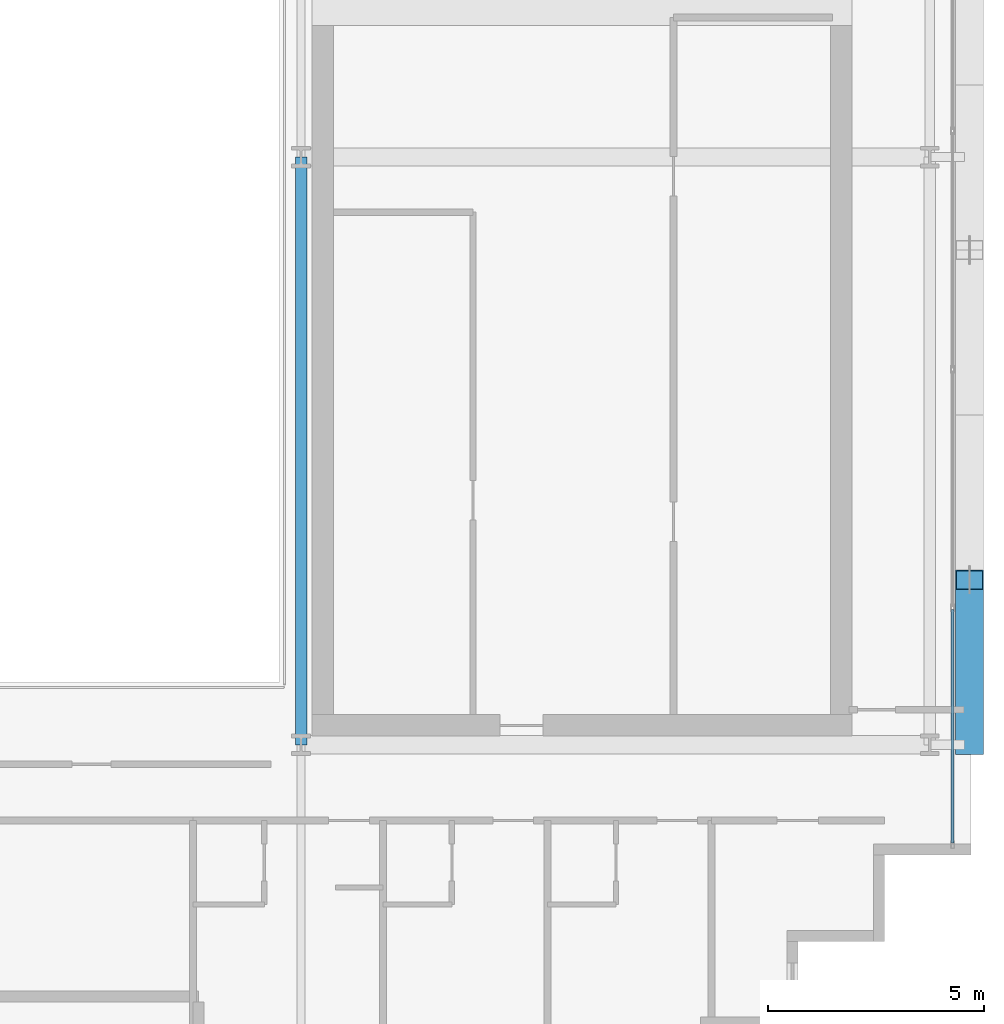
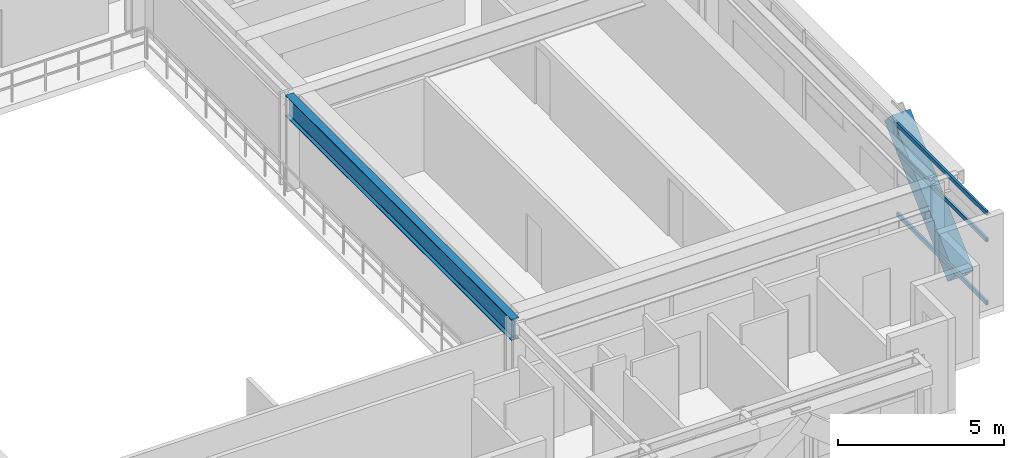
# One storey, part 11 of 31: 4 members, 1 beam, 1 element without a shape of its own.
"""IFC4 building model written with IfcOpenShell, lengths in metres."""

from ifc_helpers import new_model, si_unit, direction, frame, origin, origin_2d, place, context, subcontext, project, spatial, hollow_rectangle, i_section, extrude, source, transform, mapped, material, layer, layer_set, material_profile, profile_set, type_object, element, aggregate, save


model = new_model("IFC4")

# Units and contexts
model_context = context("Model", 3, precision=1e-05, world=origin(), true_north=direction((0.0, 1.0)))
body_context = subcontext(model_context, "Body", "Model", "MODEL_VIEW")
ifc_project = project(units=[si_unit("LENGTHUNIT", "METRE"), si_unit("AREAUNIT", "SQUARE_METRE"), si_unit("VOLUMEUNIT", "CUBIC_METRE"), si_unit("PLANEANGLEUNIT", "RADIAN"), si_unit("MASSUNIT", "GRAM", prefix="KILO")], contexts=[model_context])

# Site, building, storey
site_placement = place(None, origin())
site = spatial("IfcSite", under=ifc_project, at=site_placement, CompositionType="ELEMENT")
building_placement = place(site_placement, origin())
building = spatial("IfcBuilding", under=site, at=building_placement, Name="Ocotamira Hotel", CompositionType="ELEMENT")
storey_placement = place(building_placement, frame((0.0, 0.0, 202.800048828125)))
storey = spatial("IfcBuildingStorey", under=building, at=storey_placement, Name="L51", CompositionType="ELEMENT", Elevation=202.800048828125)

# Beam
ifc_material_1 = material(Name="Steel ASTM A992 Grade 50", Category="steel")
ifc_material_profile_1 = material_profile(ifc_material_1, i_section(OverallWidth=0.26611328125, OverallDepth=0.779052734375, WebThickness=0.0166015625, FlangeThickness=0.030029296875, FilletRadius=0.01806640625, at=origin_2d()), Name="W30X148")
ifc_profile_set_1 = profile_set([ifc_material_profile_1], Name="Steel ASTM A992 Grade 50")
beam_type = type_object("IfcBeamType", Name="BM-GIRD-W30X148", PredefinedType="BEAM", material=ifc_profile_set_1)
shared_shape_1 = source(origin(), body_context, "Body", "SweptSolid", [
    extrude(i_section(OverallWidth=0.26611328125, OverallDepth=0.779052734375, WebThickness=0.0166015625, FlangeThickness=0.030029296875, FilletRadius=0.01806640625, at=origin_2d()), origin(), (0.0, 0.0, 1.0), 13.599853515625),
])
beam_placement = place(storey_placement, frame((40.5, 14.550048828125, 2.98046875), z_axis=(0.0, 1.0, 0.0), x_axis=(-1.0, 0.0, 0.0)))
element("IfcBeam", 1, at=beam_placement, inside=storey, type_object=beam_type, Name="L51 Beam X40.5 Y14.55-28.15", PredefinedType="BEAM", context=body_context, shape_type="MappedRepresentation", body=[
    mapped(shared_shape_1, transform((0.0, 0.0, 0.0), scale=1.0)),
])

# Member
ifc_material_2 = material(Name="Pale-metal coated steel ASTM A913 Grade 65", Category="steel")
ifc_material_profile_2 = material_profile(ifc_material_2, hollow_rectangle(XDim=0.64990234375, YDim=0.64990234375, WallThickness=0.02197265625, at=origin_2d()), Name="BOX650X650X22")
ifc_profile_set_2 = profile_set([ifc_material_profile_2], Name="Pale-metal coated steel ASTM A913 Grade 65")
member_type_1 = type_object("IfcMemberType", Name="MEM-EXO-BOX650", PredefinedType="BRACE", material=ifc_profile_set_2)
shared_shape_2 = source(origin(), body_context, "Body", "SweptSolid", [
    extrude(hollow_rectangle(XDim=0.64990234375, YDim=0.64990234375, WallThickness=0.02197265625, at=origin_2d()), origin(), (0.0, 0.0, 1.0), 5.24658203125),
])
member_1_placement = place(storey_placement, frame((55.969970703125, 14.550048828125, -0.47998046875), z_axis=(0.0, 0.72746596067, 0.686143772154), x_axis=(-1.0, 0.0, 0.0)))
element("IfcMember", 2, at=member_1_placement, inside=storey, type_object=member_type_1, Name="L51 Exoskeleton Diagrid E0.1", PredefinedType="BRACE", context=body_context, shape_type="MappedRepresentation", body=[
    mapped(shared_shape_2, transform((0.0, 0.0, 0.0), scale=1.0)),
])

# Curtain wall, members
ifc_material_3 = material(Name="Anodised pale-metal aluminium and solar glass", Category="aluminium")
ifc_layer = layer(ifc_material_3, 0.199951171875)
ifc_layer_set = layer_set([ifc_layer], Name="Anodised pale-metal aluminium and solar glass")
curtain_wall_type = type_object("IfcCurtainWallType", Name="CW-SYS4-Z3", PredefinedType="NOTDEFINED", material=ifc_layer_set)
curtain_wall_placement = place(storey_placement, origin())
curtain_wall = element("IfcCurtainWall", 3, at=curtain_wall_placement, inside=storey, type_object=curtain_wall_type, Name="L51 Curtain Wall CW-4 CW-L51-E", PredefinedType="NOTDEFINED")
ifc_material_4 = material(Name="Anodised pale-metal aluminium 6063-T6", Category="aluminium")
ifc_material_profile_3 = material_profile(ifc_material_4, hollow_rectangle(XDim=0.074951171875, YDim=0.14990234375, WallThickness=0.006103515625, at=origin_2d()), Name="HSS150X75X6")
ifc_profile_set_3 = profile_set([ifc_material_profile_3], Name="Anodised pale-metal aluminium 6063-T6")
member_type_2 = type_object("IfcMemberType", Name="CWT-150X75", PredefinedType="USERDEFINED", material=ifc_profile_set_3)
shared_shape_3 = source(origin(), body_context, "Body", "SweptSolid", [
    extrude(hollow_rectangle(XDim=0.074951171875, YDim=0.14990234375, WallThickness=0.006103515625, at=origin_2d()), origin(), (0.0, 0.0, 1.0), 5.39990234375),
])
member_2_placement = place(storey_placement, frame((55.580078125, 12.280029296875, 0.037353515625), z_axis=(0.0, 1.0, 0.0), x_axis=(-1.0, 0.0, 0.0)))
member_2 = element("IfcMember", 4, at=member_2_placement, type_object=member_type_2, Name="CW-4 transom 1.1", ObjectType="TRANSOM", PredefinedType="USERDEFINED", context=body_context, shape_type="MappedRepresentation", body=[
    mapped(shared_shape_3, transform((0.0, 0.0, 0.0), scale=1.0)),
])
member_3_placement = place(storey_placement, frame((55.580078125, 12.280029296875, 2.349853515625), z_axis=(0.0, 1.0, 0.0), x_axis=(-1.0, 0.0, 0.0)))
member_3 = element("IfcMember", 5, at=member_3_placement, type_object=member_type_2, Name="CW-4 transom 1.2", ObjectType="TRANSOM", PredefinedType="USERDEFINED", context=body_context, shape_type="MappedRepresentation", body=[
    mapped(shared_shape_3, transform((0.0, 0.0, 0.0), scale=1.0)),
])
member_4_placement = place(storey_placement, frame((55.580078125, 12.280029296875, 3.33251953125), z_axis=(0.0, 1.0, 0.0), x_axis=(-1.0, 0.0, 0.0)))
member_4 = element("IfcMember", 6, at=member_4_placement, type_object=member_type_2, Name="CW-4 transom 1.3", ObjectType="TRANSOM", PredefinedType="USERDEFINED", context=body_context, shape_type="MappedRepresentation", body=[
    mapped(shared_shape_3, transform((0.0, 0.0, 0.0), scale=1.0)),
])
aggregate(curtain_wall, [member_2, member_3, member_4])

save(model, "model.ifc")
